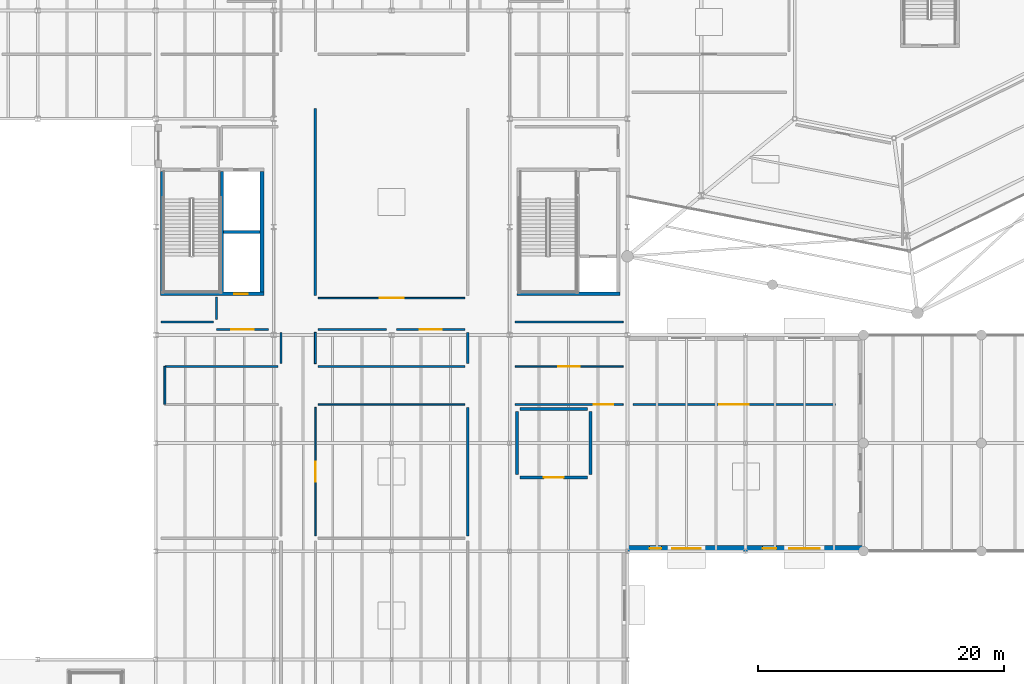
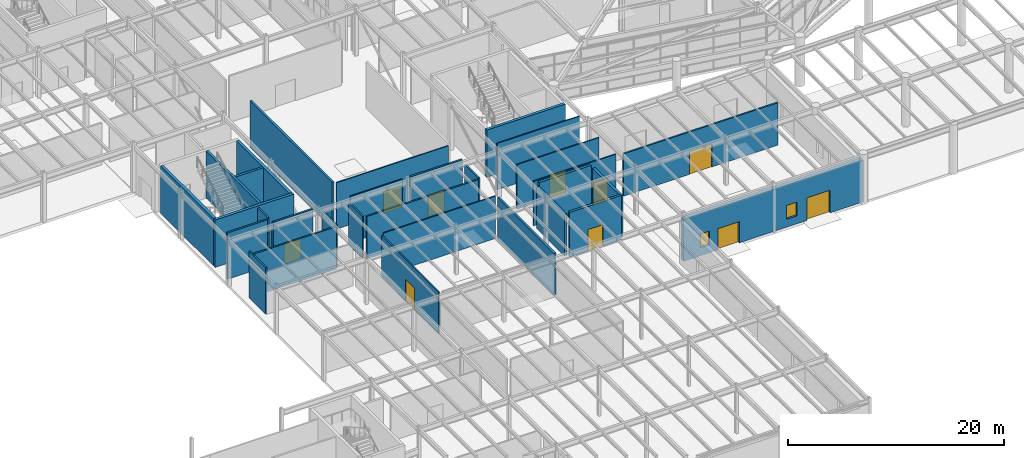
# One storey, part 47 of 70: 31 walls, 11 doors, 2 windows, 13 openings.
"""IFC4 building model written with IfcOpenShell, lengths in metres."""

from ifc_helpers import new_model, si_unit, direction, frame, frame_2d, origin, place, context, subcontext, project, spatial, rectangle, extrude, material, layer, layer_set, type_object, element, fill, save


model = new_model("IFC4")

# Units and contexts
model_context = context("Model", 3, precision=1e-05, world=origin(), true_north=direction((0.0, 1.0)))
body_context = subcontext(model_context, "Body", "Model", "MODEL_VIEW")
ifc_project = project(units=[si_unit("LENGTHUNIT", "METRE"), si_unit("AREAUNIT", "SQUARE_METRE"), si_unit("VOLUMEUNIT", "CUBIC_METRE"), si_unit("PLANEANGLEUNIT", "RADIAN"), si_unit("MASSUNIT", "GRAM", prefix="KILO")], contexts=[model_context])

# Site, building, storey
site_placement = place(None, origin())
site = spatial("IfcSite", under=ifc_project, at=site_placement, CompositionType="ELEMENT")
building_placement = place(site_placement, origin())
building = spatial("IfcBuilding", under=site, at=building_placement, Name="Sarnbrook Museum", CompositionType="ELEMENT")
storey_placement = place(building_placement, origin())
storey = spatial("IfcBuildingStorey", under=building, at=storey_placement, Name="L00", CompositionType="ELEMENT", Elevation=0.0)

# Wall
ifc_material_1 = material(Name="Concrete N50 (AS 3600, f'c = 50 MPa)", Category="concrete")
ifc_layer_1 = layer(ifc_material_1, 0.300048828125)
ifc_layer_set_1 = layer_set([ifc_layer_1], Name="Concrete N50 (AS 3600, f'c = 50 MPa)")
wall_type_1 = type_object("IfcWallType", Name="CoreWall_CWRC", PredefinedType="SHEAR", material=ifc_layer_set_1)
wall_1_placement = place(storey_placement, frame((110.199951171875, 60.14990234375, 0.0), z_axis=(0.0, 0.0, 1.0), x_axis=(1.0, 0.0, 0.0)))
element("IfcWall", 1, at=wall_1_placement, inside=storey, type_object=wall_type_1, Name="Core C1 Shear Wall S L00", PredefinedType="SHEAR", context=body_context, shape_type="SweptSolid", body=[
    extrude(rectangle(XDim=8.400146484375, YDim=0.300048828125, at=frame_2d((4.2001953125, 0.0))), origin(), (0.0, 0.0, 1.0), 5.344970703125),
])

# Wall, opening, door
wall_2_placement = place(storey_placement, frame((81.199951171875, 60.14990234375, 0.0), z_axis=(0.0, 0.0, 1.0), x_axis=(1.0, 0.0, 0.0)))
wall_2 = element("IfcWall", 2, at=wall_2_placement, inside=storey, type_object=wall_type_1, Name="Core C3 Shear Wall S L00", PredefinedType="SHEAR", context=body_context, shape_type="SweptSolid", body=[
    extrude(rectangle(XDim=8.400146484375, YDim=0.300048828125, at=frame_2d((4.2001953125, 0.0))), origin(), (0.0, 0.0, 1.0), 5.344970703125),
])
opening_1_placement = place(wall_2_placement, frame((6.0, 0.0, 0.0)))
opening_1 = element("IfcOpeningElement", 3, at=opening_1_placement, cuts=wall_2, Name="Opening LD-PL1-L00", PredefinedType="OPENING", context=body_context, shape_type="SweptSolid", body=[
    extrude(rectangle(XDim=1.10009765625, YDim=2.199951171875, at=frame_2d((0.550048828125, 1.10009765625))), frame((0.0, 0.16015625, 0.0), z_axis=(0.0, -1.0, 0.0), x_axis=(1.0, 0.0, 0.0)), (0.0, 0.0, 1.0), 0.320068359375),
])
ifc_material_2 = material(Name="Brushed Stainless Steel Grade 316", Category="steel")
door_type_1 = type_object("IfcDoorType", Name="LiftDoor_Pax110", OperationType="DOUBLE_DOOR_SLIDING", PredefinedType="DOOR", material=ifc_material_2)
door_1_placement = place(opening_1_placement, origin())
door_1 = element("IfcDoor", 4, at=door_1_placement, inside=storey, type_object=door_type_1, Name="Lift Landing Sliding Door LD-PL1-L00", OperationType="DOUBLE_DOOR_SLIDING", OverallHeight=2.199951171875, OverallWidth=1.10009765625, PredefinedType="DOOR", context=body_context, shape_type="SweptSolid", body=[
    extrude(rectangle(XDim=1.10009765625, YDim=2.199951171875, at=frame_2d((0.550048828125, 1.10009765625))), frame((0.0, 0.02490234375, 0.0), z_axis=(0.0, -1.0, 0.0), x_axis=(1.0, 0.0, 0.0)), (0.0, 0.0, 1.0), 0.050048828125),
])
fill(opening_1, door_1)

# Walls
for number, where, z_axis, x_axis, name in (
    (5, (89.449951171875, 60.31005859375, 0.0), (0.0, 0.0, 1.0), (0.0, 1.0, 0.0), "Core C3 Shear Wall E L00"),
    (6, (81.35009765625, 70.090087890625, 0.0), (0.0, 0.0, 1.0), (0.0, -1.0, 0.0), "Core C3 Shear Wall W L00"),
):
    element("IfcWall", number, at=place(storey_placement, frame(where, z_axis=z_axis, x_axis=x_axis)), inside=storey, type_object=wall_type_1, Name=name, PredefinedType="SHEAR", context=body_context, shape_type="SweptSolid", body=[
        extrude(rectangle(XDim=9.780029296875, YDim=0.300048828125, at=frame_2d((4.89013671875, 0.0))), origin(), (0.0, 0.0, 1.0), 5.344970703125),
    ])

# Wall, opening, door
ifc_material_3 = material(Name="Concrete N40 (AS 3600, f'c = 40 MPa)", Category="concrete")
ifc_layer_2 = layer(ifc_material_3, 0.260009765625)
ifc_layer_set_2 = layer_set([ifc_layer_2], Name="Concrete N40 (AS 3600, f'c = 40 MPa)")
wall_type_2 = type_object("IfcWallType", Name="FireWall_FW240", PredefinedType="SOLIDWALL", material=ifc_layer_set_2)
wall_3_placement = place(storey_placement, frame((115.9599609375, 45.2099609375, 0.0), z_axis=(0.0, 0.0, 1.0), x_axis=(-1.0, 0.0, 0.0)))
wall_3 = element("IfcWall", 7, at=wall_3_placement, inside=storey, type_object=wall_type_2, Name="Interior Partition Wall L00-0144", PredefinedType="SOLIDWALL", context=body_context, shape_type="SweptSolid", body=[
    extrude(rectangle(XDim=5.52001953125, YDim=0.260009765625, at=frame_2d((2.760009765625, 0.0))), origin(), (0.0, 0.0, 1.0), 5.012939453125),
])
opening_2_placement = place(wall_3_placement, frame((1.9599609375, 0.0, 0.0)))
opening_2 = element("IfcOpeningElement", 8, at=opening_2_placement, cuts=wall_3, Name="Opening D-L00-045", PredefinedType="OPENING", context=body_context, shape_type="SweptSolid", body=[
    extrude(rectangle(XDim=1.60009765625, YDim=2.39990234375, at=frame_2d((0.800048828125, 1.199951171875))), frame((0.0, 0.14013671875, 0.0), z_axis=(0.0, -1.0, 0.0), x_axis=(1.0, 0.0, 0.0)), (0.0, 0.0, 1.0), 0.280029296875),
])
ifc_material_4 = material(Name="Patinated Architectural Bronze")
door_type_2 = type_object("IfcDoorType", Name="FireDoor_FD240", OperationType="NOTDEFINED", PredefinedType="DOOR", material=ifc_material_4)
door_2_placement = place(opening_2_placement, origin())
door_2 = element("IfcDoor", 9, at=door_2_placement, inside=storey, type_object=door_type_2, Name="Fire Control & Emergency Command Room Door D-L00-045", OperationType="DOUBLE_DOOR_SINGLE_SWING", OverallHeight=2.39990234375, OverallWidth=1.60009765625, PredefinedType="DOOR", context=body_context, shape_type="SweptSolid", body=[
    extrude(rectangle(XDim=1.60009765625, YDim=2.39990234375, at=frame_2d((0.800048828125, 1.199951171875))), frame((0.0, 0.02490234375, 0.0), z_axis=(0.0, -1.0, 0.0), x_axis=(1.0, 0.0, 0.0)), (0.0, 0.0, 1.0), 0.050048828125),
])
fill(opening_2, door_2)

# Walls
wall_4_placement = place(storey_placement, frame((110.2099609375, 45.43994140625, 0.0), z_axis=(0.0, 0.0, 1.0), x_axis=(0.0, 1.0, 0.0)))
element("IfcWall", 10, at=wall_4_placement, inside=storey, type_object=wall_type_2, Name="Interior Partition Wall L00-0145", PredefinedType="SOLIDWALL", context=body_context, shape_type="SweptSolid", body=[
    extrude(rectangle(XDim=5.1201171875, YDim=0.260009765625, at=frame_2d((2.56005859375, 0.0))), origin(), (0.0, 0.0, 1.0), 4.7080078125),
])
wall_5_placement = place(storey_placement, frame((110.43994140625, 50.7900390625, 0.0), z_axis=(0.0, 0.0, 1.0), x_axis=(1.0, 0.0, 0.0)))
element("IfcWall", 11, at=wall_5_placement, inside=storey, type_object=wall_type_2, Name="Interior Partition Wall L00-0146", PredefinedType="SOLIDWALL", context=body_context, shape_type="SweptSolid", body=[
    extrude(rectangle(XDim=5.52001953125, YDim=0.260009765625, at=frame_2d((2.760009765625, 0.0))), origin(), (0.0, 0.0, 1.0), 5.01611328125),
])
wall_6_placement = place(storey_placement, frame((116.18994140625, 50.56005859375, 0.0), z_axis=(0.0, 0.0, 1.0), x_axis=(0.0, -1.0, 0.0)))
element("IfcWall", 12, at=wall_6_placement, inside=storey, type_object=wall_type_2, Name="Interior Partition Wall L00-0147", PredefinedType="SOLIDWALL", context=body_context, shape_type="SweptSolid", body=[
    extrude(rectangle(XDim=5.1201171875, YDim=0.260009765625, at=frame_2d((2.56005859375, 0.0))), origin(), (0.0, 0.0, 1.0), 4.7080078125),
])
ifc_material_5 = material(Name="Fire-Rated Acoustic Gypsum Plasterboard")
ifc_layer_3 = layer(ifc_material_5, 0.1201171875)
ifc_layer_set_3 = layer_set([ifc_layer_3], Name="Fire-Rated Acoustic Gypsum Plasterboard")
wall_type_3 = type_object("IfcWallType", Name="PartWall_P120", PredefinedType="PARTITIONING", material=ifc_layer_set_3)
wall_7_placement = place(storey_placement, frame((94.030029296875, 51.14990234375, 0.0), z_axis=(0.0, 0.0, 1.0), x_axis=(1.0, 0.0, 0.0)))
element("IfcWall", 13, at=wall_7_placement, inside=storey, type_object=wall_type_3, Name="Interior Partition Wall L00-0216", PredefinedType="PARTITIONING", context=body_context, shape_type="SweptSolid", body=[
    extrude(rectangle(XDim=11.93994140625, YDim=0.1201171875, at=frame_2d((5.969970703125, 0.0))), origin(), (0.0, 0.0, 1.0), 4.787109375),
])

# Wall, opening, door
wall_8_placement = place(storey_placement, frame((105.969970703125, 59.800048828125, 0.0), z_axis=(0.0, 0.0, 1.0), x_axis=(-1.0, 0.0, 0.0)))
wall_8 = element("IfcWall", 14, at=wall_8_placement, inside=storey, type_object=wall_type_3, Name="Interior Partition Wall L00-0223", PredefinedType="PARTITIONING", context=body_context, shape_type="SweptSolid", body=[
    extrude(rectangle(XDim=11.93994140625, YDim=0.1201171875, at=frame_2d((5.969970703125, 0.0))), origin(), (0.0, 0.0, 1.0), 5.22998046875),
])
opening_3_placement = place(wall_8_placement, frame((4.989990234375, 0.0, 0.0)))
opening_3 = element("IfcOpeningElement", 15, at=opening_3_placement, cuts=wall_8, Name="Opening D-L00-070", PredefinedType="OPENING", context=body_context, shape_type="SweptSolid", body=[
    extrude(rectangle(XDim=1.9599609375, YDim=2.4599609375, at=frame_2d((0.97998046875, 1.22998046875))), frame((0.0, 0.070068359375, 0.0), z_axis=(0.0, -1.0, 0.0), x_axis=(1.0, 0.0, 0.0)), (0.0, 0.0, 1.0), 0.14013671875),
])
ifc_material_6 = material(Name="Tasmanian Oak Acoustic Timber", Category="wood")
door_type_3 = type_object("IfcDoorType", Name="IntDoor_DT32", OperationType="NOTDEFINED", PredefinedType="DOOR", material=ifc_material_6)
door_3_placement = place(opening_3_placement, origin())
door_3 = element("IfcDoor", 16, at=door_3_placement, inside=storey, type_object=door_type_3, Name="Sculpture Plinth Gallery L00-14 Door D-L00-070", OperationType="DOUBLE_DOOR_SINGLE_SWING", OverallHeight=2.4599609375, OverallWidth=1.9599609375, PredefinedType="DOOR", context=body_context, shape_type="SweptSolid", body=[
    extrude(rectangle(XDim=1.9599609375, YDim=2.4599609375, at=frame_2d((0.97998046875, 1.22998046875))), frame((0.0, 0.02490234375, 0.0), z_axis=(0.0, -1.0, 0.0), x_axis=(1.0, 0.0, 0.0)), (0.0, 0.0, 1.0), 0.050048828125),
])
fill(opening_3, door_3)

wall_9_placement = place(storey_placement, frame((118.840087890625, 54.25, 0.0), z_axis=(0.0, 0.0, 1.0), x_axis=(-1.0, 0.0, 0.0)))
wall_9 = element("IfcWall", 17, at=wall_9_placement, inside=storey, type_object=wall_type_3, Name="Interior Partition Wall L00-0230", PredefinedType="PARTITIONING", context=body_context, shape_type="SweptSolid", body=[
    extrude(rectangle(XDim=8.7900390625, YDim=0.1201171875, at=frame_2d((4.39501953125, 0.0))), origin(), (0.0, 0.0, 1.0), 5.01611328125),
])
opening_4_placement = place(wall_9_placement, frame((3.52001953125, 0.0, 0.0)))
opening_4 = element("IfcOpeningElement", 18, at=opening_4_placement, cuts=wall_9, Name="Opening D-L00-073", PredefinedType="OPENING", context=body_context, shape_type="SweptSolid", body=[
    extrude(rectangle(XDim=1.75, YDim=2.580078125, at=frame_2d((0.875, 1.2900390625))), frame((0.0, 0.070068359375, 0.0), z_axis=(0.0, -1.0, 0.0), x_axis=(1.0, 0.0, 0.0)), (0.0, 0.0, 1.0), 0.14013671875),
])
door_type_4 = type_object("IfcDoorType", Name="IntDoor_DT35", OperationType="NOTDEFINED", PredefinedType="DOOR", material=ifc_material_6)
door_4_placement = place(opening_4_placement, frame((1.75, 0.0, 0.0), z_axis=(0.0, 0.0, 1.0), x_axis=(-1.0, 0.0, 0.0)))
door_4 = element("IfcDoor", 19, at=door_4_placement, inside=storey, type_object=door_type_4, Name="Cloakroom & Visitor Services L00-17 Door D-L00-073", OperationType="DOUBLE_DOOR_SINGLE_SWING", OverallHeight=2.580078125, OverallWidth=1.75, PredefinedType="DOOR", context=body_context, shape_type="SweptSolid", body=[
    extrude(rectangle(XDim=1.75, YDim=2.580078125, at=frame_2d((0.875, 1.2900390625))), frame((0.0, 0.02490234375, 0.0), z_axis=(0.0, -1.0, 0.0), x_axis=(1.0, 0.0, 0.0)), (0.0, 0.0, 1.0), 0.050048828125),
])
fill(opening_4, door_4)

ifc_layer_4 = layer(ifc_material_5, 0.135009765625)
ifc_layer_set_4 = layer_set([ifc_layer_4], Name="Fire-Rated Acoustic Gypsum Plasterboard")
wall_type_4 = type_object("IfcWallType", Name="PartWall_P135", PredefinedType="PARTITIONING", material=ifc_layer_set_4)
wall_10_placement = place(storey_placement, frame((93.800048828125, 40.449951171875, 0.0), z_axis=(0.0, 0.0, 1.0), x_axis=(0.0, 1.0, 0.0)))
wall_10 = element("IfcWall", 20, at=wall_10_placement, inside=storey, type_object=wall_type_4, Name="Interior Partition Wall L00-0215", PredefinedType="PARTITIONING", context=body_context, shape_type="SweptSolid", body=[
    extrude(rectangle(XDim=10.469970703125, YDim=0.135009765625, at=frame_2d((5.23486328125, 0.0))), origin(), (0.0, 0.0, 1.0), 4.7080078125),
])
opening_5_placement = place(wall_10_placement, frame((4.425048828125, 0.0, 0.0)))
opening_5 = element("IfcOpeningElement", 21, at=opening_5_placement, cuts=wall_10, Name="Opening D-L00-068", PredefinedType="OPENING", context=body_context, shape_type="SweptSolid", body=[
    extrude(rectangle(XDim=1.6201171875, YDim=2.4599609375, at=frame_2d((0.81005859375, 1.22998046875))), frame((0.0, 0.07763671875, 0.0), z_axis=(0.0, -1.0, 0.0), x_axis=(1.0, 0.0, 0.0)), (0.0, 0.0, 1.0), 0.155029296875),
])
door_type_5 = type_object("IfcDoorType", Name="IntDoor_DT30", OperationType="NOTDEFINED", PredefinedType="DOOR", material=ifc_material_6)
door_5_placement = place(opening_5_placement, origin())
door_5 = element("IfcDoor", 22, at=door_5_placement, inside=storey, type_object=door_type_5, Name="Grand North-Light Atrium Foyer L00-12 Door D-L00-068", OperationType="DOUBLE_DOOR_SINGLE_SWING", OverallHeight=2.4599609375, OverallWidth=1.6201171875, PredefinedType="DOOR", context=body_context, shape_type="SweptSolid", body=[
    extrude(rectangle(XDim=1.6201171875, YDim=2.4599609375, at=frame_2d((0.81005859375, 1.22998046875))), frame((0.0, 0.02490234375, 0.0), z_axis=(0.0, -1.0, 0.0), x_axis=(1.0, 0.0, 0.0)), (0.0, 0.0, 1.0), 0.050048828125),
])
fill(opening_5, door_5)

# Wall
wall_11_placement = place(storey_placement, frame((94.030029296875, 57.25, 0.0), z_axis=(0.0, 0.0, 1.0), x_axis=(1.0, 0.0, 0.0)))
element("IfcWall", 23, at=wall_11_placement, inside=storey, type_object=wall_type_4, Name="Interior Partition Wall L00-0222", PredefinedType="PARTITIONING", context=body_context, shape_type="SweptSolid", body=[
    extrude(rectangle(XDim=5.55224609375, YDim=0.135009765625, at=frame_2d((2.776123046875, 0.0))), origin(), (0.0, 0.0, 1.0), 5.22998046875),
])

# Wall, opening, door
wall_12_placement = place(storey_placement, frame((110.050048828125, 51.14990234375, 0.0), z_axis=(0.0, 0.0, 1.0), x_axis=(1.0, 0.0, 0.0)))
wall_12 = element("IfcWall", 24, at=wall_12_placement, inside=storey, type_object=wall_type_4, Name="Interior Partition Wall L00-0229", PredefinedType="PARTITIONING", context=body_context, shape_type="SweptSolid", body=[
    extrude(rectangle(XDim=8.7900390625, YDim=0.135009765625, at=frame_2d((4.39501953125, 0.0))), origin(), (0.0, 0.0, 1.0), 5.01611328125),
])
opening_6_placement = place(wall_12_placement, frame((6.419921875, 0.0, 0.0)))
opening_6 = element("IfcOpeningElement", 25, at=opening_6_placement, cuts=wall_12, Name="Opening D-L00-072", PredefinedType="OPENING", context=body_context, shape_type="SweptSolid", body=[
    extrude(rectangle(XDim=1.550048828125, YDim=2.580078125, at=frame_2d((0.77490234375, 1.2900390625))), frame((0.0, 0.07763671875, 0.0), z_axis=(0.0, -1.0, 0.0), x_axis=(1.0, 0.0, 0.0)), (0.0, 0.0, 1.0), 0.155029296875),
])
door_type_6 = type_object("IfcDoorType", Name="IntDoor_DT34", OperationType="NOTDEFINED", PredefinedType="DOOR", material=ifc_material_6)
door_6_placement = place(opening_6_placement, origin())
door_6 = element("IfcDoor", 26, at=door_6_placement, inside=storey, type_object=door_type_6, Name="Garden Court Museum Cafe L00-16 Door D-L00-072", OperationType="SINGLE_SWING_RIGHT", OverallHeight=2.580078125, OverallWidth=1.550048828125, PredefinedType="DOOR", context=body_context, shape_type="SweptSolid", body=[
    extrude(rectangle(XDim=1.550048828125, YDim=2.580078125, at=frame_2d((0.77490234375, 1.2900390625))), frame((0.0, 0.02490234375, 0.0), z_axis=(0.0, -1.0, 0.0), x_axis=(1.0, 0.0, 0.0)), (0.0, 0.0, 1.0), 0.050048828125),
])
fill(opening_6, door_6)

# Walls
wall_13_placement = place(storey_placement, frame((110.050048828125, 57.860107421875, 0.0), z_axis=(0.0, 0.0, 1.0), x_axis=(1.0, 0.0, 0.0)))
element("IfcWall", 27, at=wall_13_placement, inside=storey, type_object=wall_type_4, Name="Interior Partition Wall L00-0285", PredefinedType="PARTITIONING", context=body_context, shape_type="SweptSolid", body=[
    extrude(rectangle(XDim=8.7900390625, YDim=0.135009765625, at=frame_2d((4.39501953125, 0.0))), origin(), (0.0, 0.0, 1.0), 5.22998046875),
])
ifc_layer_5 = layer(ifc_material_5, 0.14990234375)
ifc_layer_set_5 = layer_set([ifc_layer_5], Name="Fire-Rated Acoustic Gypsum Plasterboard")
wall_type_5 = type_object("IfcWallType", Name="PartWall_P150", PredefinedType="PARTITIONING", material=ifc_layer_set_5)
wall_14_placement = place(storey_placement, frame((81.550048828125, 54.239990234375, 0.0), z_axis=(0.0, 0.0, 1.0), x_axis=(0.0, -1.0, 0.0)))
element("IfcWall", 28, at=wall_14_placement, inside=storey, type_object=wall_type_5, Name="Interior Partition Wall L00-0200", PredefinedType="PARTITIONING", context=body_context, shape_type="SweptSolid", body=[
    extrude(rectangle(XDim=3.080078125, YDim=0.14990234375, at=frame_2d((1.5400390625, 0.0))), origin(), (0.0, 0.0, 1.0), 5.22998046875),
])
wall_15_placement = place(storey_placement, frame((93.800048828125, 54.47998046875, 0.0), z_axis=(0.0, 0.0, 1.0), x_axis=(0.0, 1.0, 0.0)))
element("IfcWall", 29, at=wall_15_placement, inside=storey, type_object=wall_type_5, Name="Interior Partition Wall L00-0221", PredefinedType="PARTITIONING", context=body_context, shape_type="SweptSolid", body=[
    extrude(rectangle(XDim=2.5400390625, YDim=0.14990234375, at=frame_2d((1.27001953125, 0.0))), origin(), (0.0, 0.0, 1.0), 4.7080078125),
])
ifc_layer_6 = layer(ifc_material_5, 0.1650390625)
ifc_layer_set_6 = layer_set([ifc_layer_6], Name="Fire-Rated Acoustic Gypsum Plasterboard")
wall_type_6 = type_object("IfcWallType", Name="PartWall_P165", PredefinedType="PARTITIONING", material=ifc_layer_set_6)
wall_16_placement = place(storey_placement, frame((90.77001953125, 54.25, 0.0), z_axis=(0.0, 0.0, 1.0), x_axis=(-1.0, 0.0, 0.0)))
element("IfcWall", 30, at=wall_16_placement, inside=storey, type_object=wall_type_6, Name="Interior Partition Wall L00-0199", PredefinedType="PARTITIONING", context=body_context, shape_type="SweptSolid", body=[
    extrude(rectangle(XDim=9.2099609375, YDim=0.1650390625, at=frame_2d((4.60498046875, 0.0))), origin(), (0.0, 0.0, 1.0), 4.787109375),
])
wall_17_placement = place(storey_placement, frame((105.969970703125, 54.25, 0.0), z_axis=(0.0, 0.0, 1.0), x_axis=(-1.0, 0.0, 0.0)))
element("IfcWall", 31, at=wall_17_placement, inside=storey, type_object=wall_type_6, Name="Interior Partition Wall L00-0220", PredefinedType="PARTITIONING", context=body_context, shape_type="SweptSolid", body=[
    extrude(rectangle(XDim=11.93994140625, YDim=0.1650390625, at=frame_2d((5.969970703125, 0.0))), origin(), (0.0, 0.0, 1.0), 4.787109375),
])

# Wall, opening, door
wall_18_placement = place(storey_placement, frame((119.64990234375, 51.14990234375, 0.0), z_axis=(0.0, 0.0, 1.0), x_axis=(1.0, 0.0, 0.0)))
wall_18 = element("IfcWall", 32, at=wall_18_placement, inside=storey, type_object=wall_type_6, Name="Interior Partition Wall L00-0241", PredefinedType="PARTITIONING", context=body_context, shape_type="SweptSolid", body=[
    extrude(rectangle(XDim=16.46533203125, YDim=0.1650390625, at=frame_2d((8.232666015625, 0.0))), origin(), (0.0, 0.0, 1.0), 4.787109375),
])
opening_7_placement = place(wall_18_placement, frame((7.03271484375, 0.0, 0.0)))
opening_7 = element("IfcOpeningElement", 33, at=opening_7_placement, cuts=wall_18, Name="Opening D-L00-076", PredefinedType="OPENING", context=body_context, shape_type="SweptSolid", body=[
    extrude(rectangle(XDim=2.39990234375, YDim=2.580078125, at=frame_2d((1.199951171875, 1.2900390625))), frame((0.0, 0.092529296875, 0.0), z_axis=(0.0, -1.0, 0.0), x_axis=(1.0, 0.0, 0.0)), (0.0, 0.0, 1.0), 0.18505859375),
])
door_type_7 = type_object("IfcDoorType", Name="IntDoor_DT38", OperationType="NOTDEFINED", PredefinedType="DOOR", material=ifc_material_6)
door_7_placement = place(opening_7_placement, origin())
door_7 = element("IfcDoor", 34, at=door_7_placement, inside=storey, type_object=door_type_7, Name="Sculpture Plinth Gallery L00-23 Door D-L00-076", OperationType="DOUBLE_DOOR_SINGLE_SWING", OverallHeight=2.580078125, OverallWidth=2.39990234375, PredefinedType="DOOR", context=body_context, shape_type="SweptSolid", body=[
    extrude(rectangle(XDim=2.39990234375, YDim=2.580078125, at=frame_2d((1.199951171875, 1.2900390625))), frame((0.0, 0.02490234375, 0.0), z_axis=(0.0, -1.0, 0.0), x_axis=(1.0, 0.0, 0.0)), (0.0, 0.0, 1.0), 0.050048828125),
])
fill(opening_7, door_7)

# Walls
ifc_layer_7 = layer(ifc_material_5, 0.179931640625)
ifc_layer_set_7 = layer_set([ifc_layer_7], Name="Fire-Rated Acoustic Gypsum Plasterboard")
wall_type_7 = type_object("IfcWallType", Name="PartWall_P180", PredefinedType="PARTITIONING", material=ifc_layer_set_7)
for number, where, z_axis, x_axis, name in (
    (35, (91.0, 57.02001953125, 0.0), (0.0, 0.0, 1.0), (0.0, -1.0, 0.0), "Interior Partition Wall L00-0198"),
    (36, (106.199951171875, 57.02001953125, 0.0), (0.0, 0.0, 1.0), (0.0, -1.0, 0.0), "Interior Partition Wall L00-0219"),
):
    element("IfcWall", number, at=place(storey_placement, frame(where, z_axis=z_axis, x_axis=x_axis)), inside=storey, type_object=wall_type_7, Name=name, PredefinedType="PARTITIONING", context=body_context, shape_type="SweptSolid", body=[
        extrude(rectangle(XDim=2.5400390625, YDim=0.179931640625, at=frame_2d((1.27001953125, 0.0))), origin(), (0.0, 0.0, 1.0), 4.7080078125),
    ])
wall_19_placement = place(storey_placement, frame((81.25, 57.860107421875, 0.0), z_axis=(0.0, 0.0, 1.0), x_axis=(1.0, 0.0, 0.0)))
element("IfcWall", 37, at=wall_19_placement, inside=storey, type_object=wall_type_7, Name="Interior Partition Wall L00-0282", PredefinedType="PARTITIONING", context=body_context, shape_type="SweptSolid", body=[
    extrude(rectangle(XDim=4.27001953125, YDim=0.179931640625, at=frame_2d((2.135009765625, 0.0))), origin(), (0.0, 0.0, 1.0), 5.22998046875),
])

# Wall, opening, door
ifc_layer_8 = layer(ifc_material_5, 0.195068359375)
ifc_layer_set_8 = layer_set([ifc_layer_8], Name="Fire-Rated Acoustic Gypsum Plasterboard")
wall_type_8 = type_object("IfcWallType", Name="PartWall_P195", PredefinedType="PARTITIONING", material=ifc_layer_set_8)
wall_20_placement = place(storey_placement, frame((85.760009765625, 57.25, 0.0), z_axis=(0.0, 0.0, 1.0), x_axis=(1.0, 0.0, 0.0)))
wall_20 = element("IfcWall", 38, at=wall_20_placement, inside=storey, type_object=wall_type_8, Name="Interior Partition Wall L00-0197", PredefinedType="PARTITIONING", context=body_context, shape_type="SweptSolid", body=[
    extrude(rectangle(XDim=4.222412109375, YDim=0.195068359375, at=frame_2d((2.111328125, 0.0))), origin(), (0.0, 0.0, 1.0), 5.22998046875),
])
opening_8_placement = place(wall_20_placement, frame((1.201171875, 0.0, 0.0)))
opening_8 = element("IfcOpeningElement", 39, at=opening_8_placement, cuts=wall_20, Name="Opening D-L00-065", PredefinedType="OPENING", context=body_context, shape_type="SweptSolid", body=[
    extrude(rectangle(XDim=1.820068359375, YDim=2.340087890625, at=frame_2d((0.91015625, 1.169921875))), frame((0.0, 0.107421875, 0.0), z_axis=(0.0, -1.0, 0.0), x_axis=(1.0, 0.0, 0.0)), (0.0, 0.0, 1.0), 0.215087890625),
])
door_type_8 = type_object("IfcDoorType", Name="IntDoor_DT27", OperationType="NOTDEFINED", PredefinedType="DOOR", material=ifc_material_6)
door_8_placement = place(opening_8_placement, frame((1.820068359375, 0.0, 0.0), z_axis=(0.0, 0.0, 1.0), x_axis=(-1.0, 0.0, 0.0)))
door_8 = element("IfcDoor", 40, at=door_8_placement, inside=storey, type_object=door_type_8, Name="Garden Court Museum Cafe L00-7 Door D-L00-065", OperationType="DOUBLE_DOOR_SINGLE_SWING", OverallHeight=2.340087890625, OverallWidth=1.820068359375, PredefinedType="DOOR", context=body_context, shape_type="SweptSolid", body=[
    extrude(rectangle(XDim=1.820068359375, YDim=2.340087890625, at=frame_2d((0.91015625, 1.169921875))), frame((0.0, 0.02490234375, 0.0), z_axis=(0.0, -1.0, 0.0), x_axis=(1.0, 0.0, 0.0)), (0.0, 0.0, 1.0), 0.050048828125),
])
fill(opening_8, door_8)

# Wall
wall_21_placement = place(storey_placement, frame((85.75, 59.8798828125, 0.0), z_axis=(0.0, 0.0, 1.0), x_axis=(0.0, -1.0, 0.0)))
element("IfcWall", 41, at=wall_21_placement, inside=storey, type_object=wall_type_8, Name="Interior Partition Wall L00-0204", PredefinedType="PARTITIONING", context=body_context, shape_type="SweptSolid", body=[
    extrude(rectangle(XDim=1.829833984375, YDim=0.195068359375, at=frame_2d((0.9150390625, 0.0))), origin(), (0.0, 0.0, 1.0), 5.22998046875),
])

# Wall, opening, door
wall_22_placement = place(storey_placement, frame((100.417724609375, 57.25, 0.0), z_axis=(0.0, 0.0, 1.0), x_axis=(1.0, 0.0, 0.0)))
wall_22 = element("IfcWall", 42, at=wall_22_placement, inside=storey, type_object=wall_type_8, Name="Interior Partition Wall L00-0218", PredefinedType="PARTITIONING", context=body_context, shape_type="SweptSolid", body=[
    extrude(rectangle(XDim=5.55224609375, YDim=0.195068359375, at=frame_2d((2.776123046875, 0.0))), origin(), (0.0, 0.0, 1.0), 5.22998046875),
])
opening_9_placement = place(wall_22_placement, frame((1.88623046875, 0.0, 0.0)))
opening_9 = element("IfcOpeningElement", 43, at=opening_9_placement, cuts=wall_22, Name="Opening D-L00-069", PredefinedType="OPENING", context=body_context, shape_type="SweptSolid", body=[
    extrude(rectangle(XDim=1.780029296875, YDim=2.4599609375, at=frame_2d((0.89013671875, 1.22998046875))), frame((0.0, 0.107421875, 0.0), z_axis=(0.0, -1.0, 0.0), x_axis=(1.0, 0.0, 0.0)), (0.0, 0.0, 1.0), 0.215087890625),
])
door_type_9 = type_object("IfcDoorType", Name="IntDoor_DT31", OperationType="NOTDEFINED", PredefinedType="DOOR", material=ifc_material_6)
door_9_placement = place(opening_9_placement, frame((1.780029296875, 0.0, 0.0), z_axis=(0.0, 0.0, 1.0), x_axis=(-1.0, 0.0, 0.0)))
door_9 = element("IfcDoor", 44, at=door_9_placement, inside=storey, type_object=door_type_9, Name="Main Raked Lecture Auditorium L00-13 Door D-L00-069", OperationType="DOUBLE_DOOR_SINGLE_SWING", OverallHeight=2.4599609375, OverallWidth=1.780029296875, PredefinedType="DOOR", context=body_context, shape_type="SweptSolid", body=[
    extrude(rectangle(XDim=1.780029296875, YDim=2.4599609375, at=frame_2d((0.89013671875, 1.22998046875))), frame((0.0, 0.02490234375, 0.0), z_axis=(0.0, -1.0, 0.0), x_axis=(1.0, 0.0, 0.0)), (0.0, 0.0, 1.0), 0.050048828125),
])
fill(opening_9, door_9)

# Walls
ifc_layer_9 = layer(ifc_material_5, 0.2099609375)
ifc_layer_set_9 = layer_set([ifc_layer_9], Name="Fire-Rated Acoustic Gypsum Plasterboard")
wall_type_9 = type_object("IfcWallType", Name="PartWall_P210", PredefinedType="PARTITIONING", material=ifc_layer_set_9)
wall_23_placement = place(storey_placement, frame((106.199951171875, 50.919921875, 0.0), z_axis=(0.0, 0.0, 1.0), x_axis=(0.0, -1.0, 0.0)))
element("IfcWall", 45, at=wall_23_placement, inside=storey, type_object=wall_type_9, Name="Interior Partition Wall L00-0217", PredefinedType="PARTITIONING", context=body_context, shape_type="SweptSolid", body=[
    extrude(rectangle(XDim=10.469970703125, YDim=0.2099609375, at=frame_2d((5.23486328125, 0.0))), origin(), (0.0, 0.0, 1.0), 4.7080078125),
])
wall_24_placement = place(storey_placement, frame((93.800048828125, 60.030029296875, 0.0), z_axis=(0.0, 0.0, 1.0), x_axis=(0.0, 1.0, 0.0)))
element("IfcWall", 46, at=wall_24_placement, inside=storey, type_object=wall_type_9, Name="Interior Partition Wall L00-0224", PredefinedType="PARTITIONING", context=body_context, shape_type="SweptSolid", body=[
    extrude(rectangle(XDim=15.199951171875, YDim=0.2099609375, at=frame_2d((7.60009765625, 0.0))), origin(), (0.0, 0.0, 1.0), 5.22998046875),
])
ifc_layer_10 = layer(ifc_material_3, 0.239990234375)
ifc_layer_set_10 = layer_set([ifc_layer_10], Name="Concrete N40 (AS 3600, f'c = 40 MPa)")
wall_type_10 = type_object("IfcWallType", Name="ShaftWall_SWRC", PredefinedType="SOLIDWALL", material=ifc_layer_set_10)
wall_25_placement = place(storey_placement, frame((86.18994140625, 60.31005859375, 0.0), z_axis=(0.0, 0.0, 1.0), x_axis=(0.0, 1.0, 0.0)))
element("IfcWall", 47, at=wall_25_placement, inside=storey, type_object=wall_type_10, Name="Stairwell ST3 Fire Shaft Wall L00", PredefinedType="SOLIDWALL", context=body_context, shape_type="SweptSolid", body=[
    extrude(rectangle(XDim=9.780029296875, YDim=0.239990234375, at=frame_2d((4.89013671875, 0.0))), origin(), (0.0, 0.0, 1.0), 5.344970703125),
])
wall_26_placement = place(storey_placement, frame((86.320068359375, 65.199951171875, 0.0), z_axis=(0.0, 0.0, 1.0), x_axis=(1.0, 0.0, 0.0)))
element("IfcWall", 48, at=wall_26_placement, inside=storey, type_object=wall_type_10, Name="Core C3 Twin Lift Divider Wall L00", PredefinedType="SOLIDWALL", context=body_context, shape_type="SweptSolid", body=[
    extrude(rectangle(XDim=2.969970703125, YDim=0.239990234375, at=frame_2d((1.48486328125, 0.0))), origin(), (0.0, 0.0, 1.0), 5.344970703125),
])

# Wall, openings, doors, windows
ifc_material_7 = material(Name="Barrabool Sandstone Ashlar Cladding", Category="masonry")
ifc_layer_11 = layer(ifc_material_7, 0.4599609375)
ifc_layer_set_11 = layer_set([ifc_layer_11], Name="Barrabool Sandstone Ashlar Cladding")
wall_type_11 = type_object("IfcWallType", Name="Wall_SandstoneExt460", PredefinedType="SOLIDWALL", material=ifc_layer_set_11)
wall_27_placement = place(storey_placement, frame((119.199951171875, 39.429931640625, 0.0), z_axis=(0.0, 0.0, 1.0), x_axis=(1.0, 0.0, 0.0)))
wall_27 = element("IfcWall", 49, at=wall_27_placement, inside=storey, type_object=wall_type_11, Name="Classical Sandstone Facade Wall L00-03", PredefinedType="SOLIDWALL", context=body_context, shape_type="SweptSolid", body=[
    extrude(rectangle(XDim=19.199951171875, YDim=0.4599609375, at=frame_2d((9.60009765625, 0.0))), origin(), (0.0, 0.0, 1.0), 4.722900390625),
])
opening_10_placement = place(wall_27_placement, frame((3.64990234375, 0.0, 0.0)))
opening_10 = element("IfcOpeningElement", 50, at=opening_10_placement, cuts=wall_27, Name="Opening ED11", PredefinedType="OPENING", context=body_context, shape_type="SweptSolid", body=[
    extrude(rectangle(XDim=2.300048828125, YDim=2.39990234375, at=frame_2d((1.14990234375, 1.199951171875))), frame((0.0, 0.239990234375, 0.0), z_axis=(0.0, -1.0, 0.0), x_axis=(1.0, 0.0, 0.0)), (0.0, 0.0, 1.0), 0.47998046875),
])
opening_11_placement = place(wall_27_placement, frame((13.14990234375, 0.0, 0.0)))
opening_11 = element("IfcOpeningElement", 51, at=opening_11_placement, cuts=wall_27, Name="Opening ED12", PredefinedType="OPENING", context=body_context, shape_type="SweptSolid", body=[
    extrude(rectangle(XDim=2.5, YDim=2.550048828125, at=frame_2d((1.25, 1.27490234375))), frame((0.0, 0.239990234375, 0.0), z_axis=(0.0, -1.0, 0.0), x_axis=(1.0, 0.0, 0.0)), (0.0, 0.0, 1.0), 0.47998046875),
])
opening_12_placement = place(wall_27_placement, frame((1.800048828125, 0.0, 0.89990234375)))
opening_12 = element("IfcOpeningElement", 52, at=opening_12_placement, cuts=wall_27, Name="Opening WT-01", PredefinedType="OPENING", context=body_context, shape_type="SweptSolid", body=[
    extrude(rectangle(XDim=0.949951171875, YDim=1.550048828125, at=frame_2d((0.47509765625, 0.77490234375))), frame((0.0, 0.239990234375, 0.0), z_axis=(0.0, -1.0, 0.0), x_axis=(1.0, 0.0, 0.0)), (0.0, 0.0, 1.0), 0.47998046875),
])
opening_13_placement = place(wall_27_placement, frame((11.0, 0.0, 0.89990234375)))
opening_13 = element("IfcOpeningElement", 53, at=opening_13_placement, cuts=wall_27, Name="Opening WT-02", PredefinedType="OPENING", context=body_context, shape_type="SweptSolid", body=[
    extrude(rectangle(XDim=1.10009765625, YDim=1.550048828125, at=frame_2d((0.550048828125, 0.77490234375))), frame((0.0, 0.239990234375, 0.0), z_axis=(0.0, -1.0, 0.0), x_axis=(1.0, 0.0, 0.0)), (0.0, 0.0, 1.0), 0.47998046875),
])
door_type_10 = type_object("IfcDoorType", Name="DoorType_EDT3", OperationType="DOUBLE_DOOR_SINGLE_SWING", PredefinedType="DOOR", material=ifc_material_2)
door_10_placement = place(opening_10_placement, frame((2.300048828125, 0.0, 0.0), z_axis=(0.0, 0.0, 1.0), x_axis=(-1.0, 0.0, 0.0)))
door_10 = element("IfcDoor", 54, at=door_10_placement, inside=storey, type_object=door_type_10, Name="South Seminar Wing Pedestrian Exit Door ED11", OperationType="DOUBLE_DOOR_SINGLE_SWING", OverallHeight=2.39990234375, OverallWidth=2.300048828125, PredefinedType="DOOR", context=body_context, shape_type="SweptSolid", body=[
    extrude(rectangle(XDim=2.300048828125, YDim=2.39990234375, at=frame_2d((1.14990234375, 1.199951171875))), frame((0.0, 0.02490234375, 0.0), z_axis=(0.0, -1.0, 0.0), x_axis=(1.0, 0.0, 0.0)), (0.0, 0.0, 1.0), 0.050048828125),
])
fill(opening_10, door_10)
ifc_material_8 = material(Name="Thermally Broken Anodised Aluminium 6063-T6", Category="aluminium")
door_type_11 = type_object("IfcDoorType", Name="DoorType_EDT4", OperationType="DOUBLE_DOOR_SINGLE_SWING", PredefinedType="DOOR", material=ifc_material_8)
door_11_placement = place(opening_11_placement, frame((2.5, 0.0, 0.0), z_axis=(0.0, 0.0, 1.0), x_axis=(-1.0, 0.0, 0.0)))
door_11 = element("IfcDoor", 55, at=door_11_placement, inside=storey, type_object=door_type_11, Name="South Seminar Wing Pedestrian Exit Door ED12", OperationType="DOUBLE_DOOR_SINGLE_SWING", OverallHeight=2.550048828125, OverallWidth=2.5, PredefinedType="DOOR", context=body_context, shape_type="SweptSolid", body=[
    extrude(rectangle(XDim=2.5, YDim=2.550048828125, at=frame_2d((1.25, 1.27490234375))), frame((0.0, 0.02490234375, 0.0), z_axis=(0.0, -1.0, 0.0), x_axis=(1.0, 0.0, 0.0)), (0.0, 0.0, 1.0), 0.050048828125),
])
fill(opening_11, door_11)
ifc_material_9 = material(Name="Double-Glazed Low-Iron Laminated Safety Glass", Category="glass")
window_type_1 = type_object("IfcWindowType", Name="Window_Classical_WT01", PartitioningType="SINGLE_PANEL", PredefinedType="WINDOW", material=ifc_material_9)
window_1_placement = place(opening_12_placement, origin())
window_1 = element("IfcWindow", 56, at=window_1_placement, inside=storey, type_object=window_type_1, Name="Classical Bronze Casement Window WIN:L00:0001", OverallHeight=1.550048828125, OverallWidth=0.949951171875, PartitioningType="SINGLE_PANEL", PredefinedType="WINDOW", context=body_context, shape_type="SweptSolid", body=[
    extrude(rectangle(XDim=0.949951171875, YDim=1.550048828125, at=frame_2d((0.47509765625, 0.77490234375))), frame((0.0, 0.030029296875, 0.0), z_axis=(0.0, -1.0, 0.0), x_axis=(1.0, 0.0, 0.0)), (0.0, 0.0, 1.0), 0.06005859375),
])
fill(opening_12, window_1)
window_type_2 = type_object("IfcWindowType", Name="Window_Classical_WT02", PartitioningType="SINGLE_PANEL", PredefinedType="WINDOW", material=ifc_material_9)
window_2_placement = place(opening_13_placement, origin())
window_2 = element("IfcWindow", 57, at=window_2_placement, inside=storey, type_object=window_type_2, Name="Classical Bronze Casement Window WIN:L00:0002", OverallHeight=1.550048828125, OverallWidth=1.10009765625, PartitioningType="SINGLE_PANEL", PredefinedType="WINDOW", context=body_context, shape_type="SweptSolid", body=[
    extrude(rectangle(XDim=1.10009765625, YDim=1.550048828125, at=frame_2d((0.550048828125, 0.77490234375))), frame((0.0, 0.030029296875, 0.0), z_axis=(0.0, -1.0, 0.0), x_axis=(1.0, 0.0, 0.0)), (0.0, 0.0, 1.0), 0.06005859375),
])
fill(opening_13, window_2)

save(model, "model.ifc")
